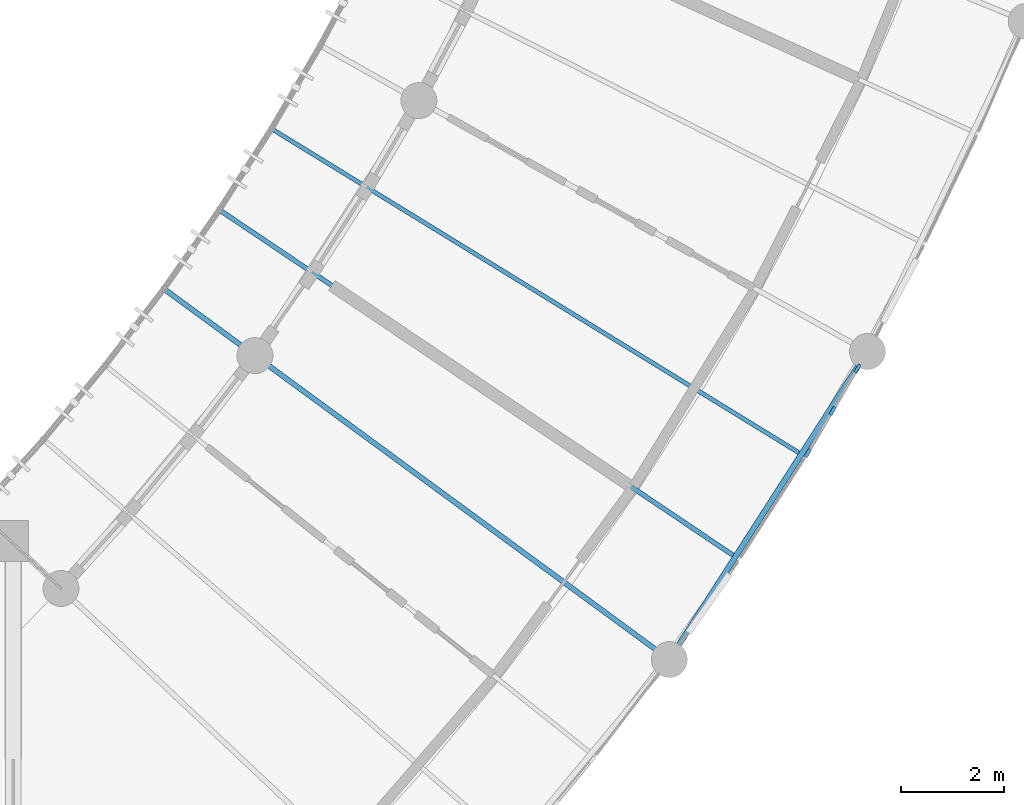
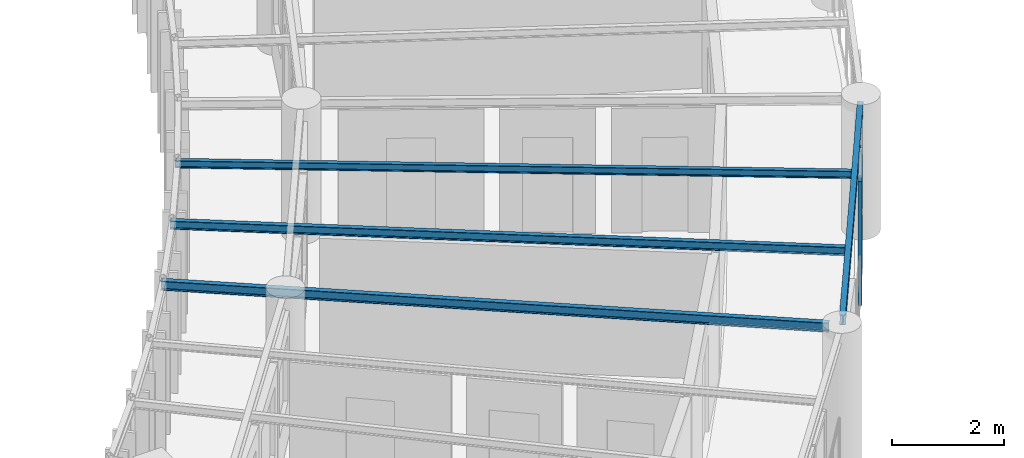
# One storey, part 24 of 137: 4 beams, 3 members, 1 element without a shape of its own.
"""IFC4 building model written with IfcOpenShell, lengths in metres."""

from ifc_helpers import new_model, si_unit, direction, frame, origin, origin_2d, place, context, subcontext, project, spatial, rectangle, i_section, extrude, material, layer, layer_set, material_profile, profile_set, type_object, element, aggregate, save


model = new_model("IFC4")

# Units and contexts
model_context = context("Model", 3, precision=1e-05, world=origin(), true_north=direction((0.0, 1.0)))
body_context = subcontext(model_context, "Body", "Model", "MODEL_VIEW")
ifc_project = project(units=[si_unit("LENGTHUNIT", "METRE"), si_unit("AREAUNIT", "SQUARE_METRE"), si_unit("VOLUMEUNIT", "CUBIC_METRE"), si_unit("PLANEANGLEUNIT", "RADIAN"), si_unit("MASSUNIT", "GRAM", prefix="KILO"), si_unit("POWERUNIT", "WATT"), si_unit("THERMODYNAMICTEMPERATUREUNIT", "KELVIN")], contexts=[model_context])

# Site, building, storey
site_placement = place(None, origin())
site = spatial("IfcSite", under=ifc_project, at=site_placement, CompositionType="ELEMENT")
building_placement = place(site_placement, origin())
building = spatial("IfcBuilding", under=site, at=building_placement, Name="Ruvembo Vaulted Housing Court", CompositionType="ELEMENT")
storey_placement = place(building_placement, frame((0.0, 0.0, 4.5)))
storey = spatial("IfcBuildingStorey", under=building, at=storey_placement, Name="L01", CompositionType="ELEMENT", Elevation=4.5)

# Beams
ifc_material_1 = material(Name="Steel S355J2", Category="steel")
ifc_material_profile_1 = material_profile(ifc_material_1, i_section(OverallWidth=0.08203125, OverallDepth=0.159912109375, WebThickness=0.0048828125, FlangeThickness=0.00732421875, FilletRadius=0.009033203125, at=origin_2d()), Name="IPE 160")
ifc_profile_set_1 = profile_set([ifc_material_profile_1], Name="Steel S355J2")
beam_type_1 = type_object("IfcBeamType", Name="BM-ST-IPE160", PredefinedType="JOIST", material=ifc_profile_set_1)
beam_1_placement = place(storey_placement, frame((51.29296875, 43.716064453125, 2.860107421875), z_axis=(-0.852055275677, 0.52345181936, 0.0), x_axis=(-0.52345181936, -0.852055275677, 0.0)))
element("IfcBeam", 1, at=beam_1_placement, inside=storey, type_object=beam_type_1, Name="Scoop SC1 L01 Radial Steel Joist 5", PredefinedType="JOIST", context=body_context, shape_type="SweptSolid", body=[
    extrude(i_section(OverallWidth=0.08203125, OverallDepth=0.159912109375, WebThickness=0.0048828125, FlangeThickness=0.00732421875, FilletRadius=0.009033203125, at=origin_2d()), origin(), (0.0, 0.0, 1.0), 12.092529296875),
])
ifc_material_profile_2 = material_profile(ifc_material_1, i_section(OverallWidth=0.091064453125, OverallDepth=0.179931640625, WebThickness=0.00537109375, FlangeThickness=0.008056640625, FilletRadius=0.009033203125, at=origin_2d()), Name="IPE 180")
ifc_profile_set_2 = profile_set([ifc_material_profile_2], Name="Steel S355J2")
beam_type_2 = type_object("IfcBeamType", Name="BM-ST-IPE180", PredefinedType="JOIST", material=ifc_profile_set_2)
beam_2_placement = place(storey_placement, frame((50.010986328125, 41.721923828125, 2.85009765625), z_axis=(-0.829875932672, 0.557947969233, 0.0), x_axis=(-0.557947969233, -0.829875932672, 0.0)))
element("IfcBeam", 2, at=beam_2_placement, inside=storey, type_object=beam_type_2, Name="Scoop SC1 L01 Radial Steel Joist 4", PredefinedType="JOIST", context=body_context, shape_type="SweptSolid", body=[
    extrude(i_section(OverallWidth=0.091064453125, OverallDepth=0.179931640625, WebThickness=0.00537109375, FlangeThickness=0.008056640625, FilletRadius=0.009033203125, at=origin_2d()), origin(), (0.0, 0.0, 1.0), 12.0927734375),
])
ifc_material_profile_3 = material_profile(ifc_material_1, i_section(OverallWidth=0.10009765625, OverallDepth=0.199951171875, WebThickness=0.005615234375, FlangeThickness=0.008544921875, FilletRadius=0.011962890625, at=origin_2d()), Name="IPE 200")
ifc_profile_set_3 = profile_set([ifc_material_profile_3], Name="Steel S355J2")
beam_type_3 = type_object("IfcBeamType", Name="BM-ST-IPE200", PredefinedType="BEAM", material=ifc_profile_set_3)
beam_3_placement = place(storey_placement, frame((48.581787109375, 39.831298828125, 2.840087890625), z_axis=(-0.806331315206, 0.591464124117, 0.0), x_axis=(-0.591464124117, -0.806331315206, 0.0)))
element("IfcBeam", 3, at=beam_3_placement, inside=storey, type_object=beam_type_3, Name="Scoop SC1 L01 Radial Steel Joist 3", PredefinedType="BEAM", context=body_context, shape_type="SweptSolid", body=[
    extrude(i_section(OverallWidth=0.10009765625, OverallDepth=0.199951171875, WebThickness=0.005615234375, FlangeThickness=0.008544921875, FilletRadius=0.011962890625, at=origin_2d()), origin(), (0.0, 0.0, 1.0), 12.010009765625),
])
ifc_material_profile_4 = material_profile(ifc_material_1, i_section(OverallWidth=0.110107421875, OverallDepth=0.219970703125, WebThickness=0.005859375, FlangeThickness=0.00927734375, FilletRadius=0.011962890625, at=origin_2d()), Name="IPE 220")
ifc_profile_set_4 = profile_set([ifc_material_profile_4], Name="Steel S355J2")
beam_type_4 = type_object("IfcBeamType", Name="BM-ST-IPE220", PredefinedType="SPANDREL", material=ifc_profile_set_4)
beam_4_placement = place(storey_placement, frame((48.8916015625, 39.888671875, 2.83203125), z_axis=(0.540829784902, 0.841132060834, 0.0), x_axis=(-0.841132060834, 0.540829784902, 0.0)))
element("IfcBeam", 4, at=beam_4_placement, inside=storey, type_object=beam_type_4, Name="Scoop SC1 L01 Chord Girder B3", PredefinedType="SPANDREL", context=body_context, shape_type="SweptSolid", body=[
    extrude(i_section(OverallWidth=0.110107421875, OverallDepth=0.219970703125, WebThickness=0.005859375, FlangeThickness=0.00927734375, FilletRadius=0.011962890625, at=origin_2d()), origin(), (0.0, 0.0, 1.0), 6.66552734375),
])

# Curtain wall, members
ifc_material_2 = material(Name="Anodised Aluminium and Solar-Control Glass", Category="aluminium")
ifc_layer = layer(ifc_material_2, 0.1201171875, Name="Anodised Aluminium and Solar-Control Glass")
ifc_layer_set = layer_set([ifc_layer], Name="Anodised Aluminium and Solar-Control Glass")
curtain_wall_type = type_object("IfcCurtainWallType", Name="CW-SCOOP-GAL", PredefinedType="NOTDEFINED", material=ifc_layer_set)
curtain_wall_placement = place(storey_placement, origin())
curtain_wall = element("IfcCurtainWall", 5, at=curtain_wall_placement, inside=storey, type_object=curtain_wall_type, Name="L01 Curtain Wall CW-L01-0010", PredefinedType="NOTDEFINED")
ifc_material_3 = material(Name="Anodised Aluminium 6063-T6", Category="aluminium")
ifc_material_profile_5 = material_profile(ifc_material_3, rectangle(XDim=0.06494140625, YDim=0.179931640625, at=origin_2d()), Name="ALU 65x180")
ifc_profile_set_5 = profile_set([ifc_material_profile_5], Name="Anodised Aluminium 6063-T6")
member_type = type_object("IfcMemberType", Name="CW-MUL-65x180", PredefinedType="MULLION", material=ifc_profile_set_5)
member_1_placement = place(storey_placement, frame((51.46044921875, 43.7099609375, 0.0), z_axis=(0.0, 0.0, 1.0), x_axis=(-0.862605859133, 0.505876597392, 0.0)))
member_1 = element("IfcMember", 6, at=member_1_placement, type_object=member_type, Name="CW6 mullion 1", PredefinedType="MULLION", context=body_context, shape_type="SweptSolid", body=[
    extrude(rectangle(XDim=0.06494140625, YDim=0.179931640625, at=origin_2d()), origin(), (0.0, 0.0, 1.0), 2.697998046875),
])
member_2_placement = place(storey_placement, frame((51.94384765625, 44.534423828125, 0.0), z_axis=(0.0, 0.0, 1.0), x_axis=(-0.862605859133, 0.505876597392, 0.0)))
member_2 = element("IfcMember", 7, at=member_2_placement, type_object=member_type, Name="CW6 mullion 2", PredefinedType="MULLION", context=body_context, shape_type="SweptSolid", body=[
    extrude(rectangle(XDim=0.06494140625, YDim=0.179931640625, at=origin_2d()), origin(), (0.0, 0.0, 1.0), 2.697998046875),
])
member_3_placement = place(storey_placement, frame((52.42724609375, 45.35888671875, 0.0), z_axis=(0.0, 0.0, 1.0), x_axis=(-0.862605859133, 0.505876597392, 0.0)))
member_3 = element("IfcMember", 8, at=member_3_placement, type_object=member_type, Name="CW6 mullion 3", PredefinedType="MULLION", context=body_context, shape_type="SweptSolid", body=[
    extrude(rectangle(XDim=0.06494140625, YDim=0.179931640625, at=origin_2d()), origin(), (0.0, 0.0, 1.0), 2.697998046875),
])
aggregate(curtain_wall, [member_1, member_2, member_3])

save(model, "model.ifc")
